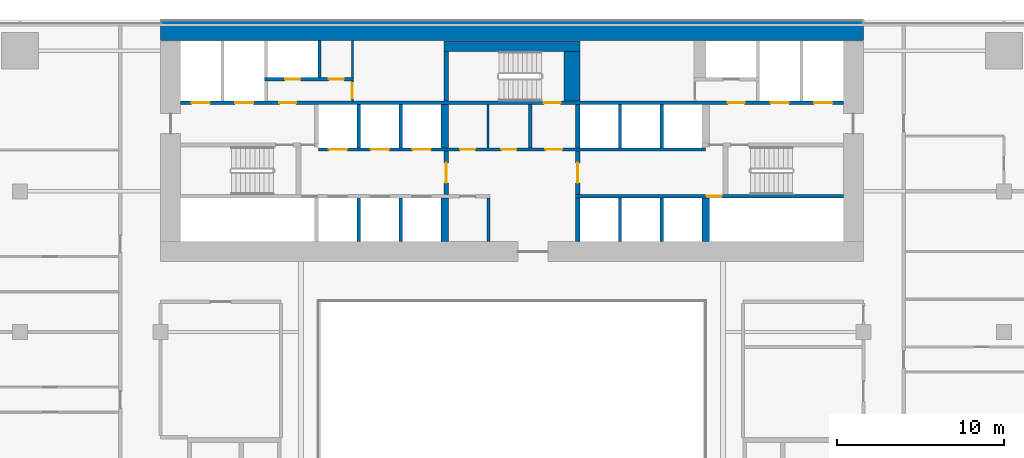
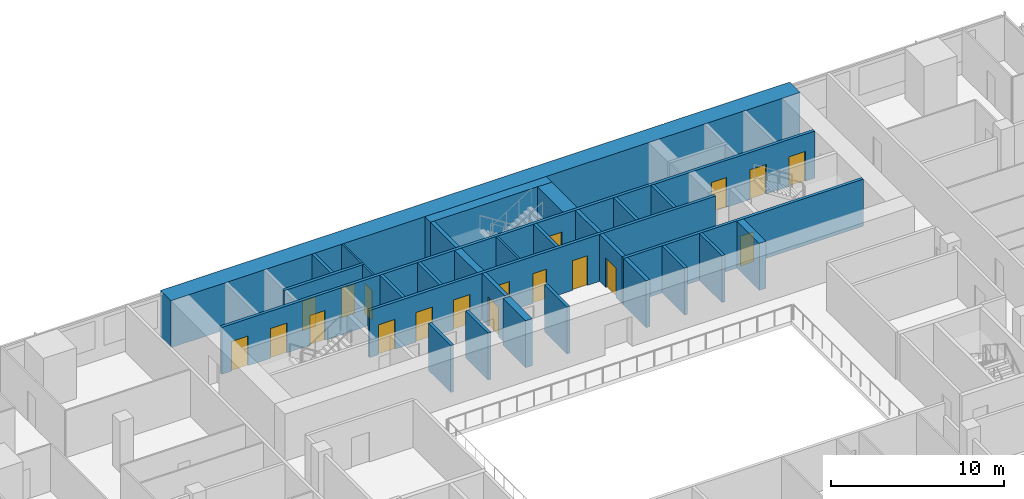
# One storey, part 19 of 27: 29 walls, 19 doors, 19 openings.
"""IFC4 building model written with IfcOpenShell, lengths in metres."""

from ifc_helpers import new_model, si_unit, direction, frame, frame_2d, origin, place, context, subcontext, project, spatial, rectangle, extrude, material, layer, layer_set, type_object, element, fill, save


model = new_model("IFC4")

# Units and contexts
model_context = context("Model", 3, precision=1e-05, world=origin(), true_north=direction((0.0, 1.0)))
body_context = subcontext(model_context, "Body", "Model", "MODEL_VIEW")
ifc_project = project(units=[si_unit("LENGTHUNIT", "METRE"), si_unit("AREAUNIT", "SQUARE_METRE"), si_unit("VOLUMEUNIT", "CUBIC_METRE"), si_unit("PLANEANGLEUNIT", "RADIAN"), si_unit("MASSUNIT", "GRAM", prefix="KILO")], contexts=[model_context])

# Site, building, storey
site_placement = place(None, origin())
site = spatial("IfcSite", under=ifc_project, at=site_placement, CompositionType="ELEMENT")
building_placement = place(site_placement, origin())
building = spatial("IfcBuilding", under=site, at=building_placement, Name="Saffron Gate Tower", CompositionType="ELEMENT")
storey_placement = place(building_placement, frame((0.0, 0.0, 76.800048828125)))
storey = spatial("IfcBuildingStorey", under=building, at=storey_placement, Name="L18", CompositionType="ELEMENT", Elevation=76.800048828125)

# Walls
ifc_material_1 = material(Name="Concrete C70", Category="concrete")
ifc_layer_1 = layer(ifc_material_1, 1.199951171875)
ifc_layer_set_1 = layer_set([ifc_layer_1], Name="CW1 RC core wall 1200 C70")
wall_type_1 = type_object("IfcWallType", Name="CW1 RC core wall 1200 C70", PredefinedType="SOLIDWALL", material=ifc_layer_set_1)
wall_1_placement = place(storey_placement, frame((66.60009765625, 75.0, 0.0), z_axis=(0.0, 0.0, 1.0), x_axis=(1.0, 0.0, 0.0)))
element("IfcWall", 1, at=wall_1_placement, inside=storey, type_object=wall_type_1, Name="Wall CW1-L18-2", PredefinedType="SOLIDWALL", context=body_context, shape_type="SweptSolid", body=[
    extrude(rectangle(XDim=42.0, YDim=1.199951171875, at=frame_2d((21.0, 0.0))), origin(), (0.0, 0.0, 1.0), 3.320068359375),
])
ifc_material_2 = material(Name="Gypsum board partition on steel studs", Category="steel")
ifc_layer_2 = layer(ifc_material_2, 0.199951171875)
ifc_layer_set_2 = layer_set([ifc_layer_2], Name="CW10 Core partition 200")
wall_type_2 = type_object("IfcWallType", Name="CW10 Core partition 200", PredefinedType="PARTITIONING", material=ifc_layer_set_2)
for number, where, z_axis, x_axis, name in (
    (2, (86.199951171875, 62.39990234375, 0.0), (0.0, 0.0, 1.0), (0.0, 1.0, 0.0), "Wall CW10-L18-9"),
    (3, (88.699951171875, 68.0, 0.0), (0.0, 0.0, 1.0), (0.0, 1.0, 0.0), "Wall CW10-L18-25"),
):
    element("IfcWall", number, at=place(storey_placement, frame(where, z_axis=z_axis, x_axis=x_axis)), inside=storey, type_object=wall_type_2, Name=name, PredefinedType="PARTITIONING", context=body_context, shape_type="SweptSolid", body=[
        extrude(rectangle(XDim=2.60009765625, YDim=0.199951171875, at=frame_2d((1.300048828125, 0.0))), origin(), (0.0, 0.0, 1.0), 3.320068359375),
    ])
ifc_layer_3 = layer(ifc_material_1, 0.25)
ifc_layer_set_3 = layer_set([ifc_layer_3], Name="CW2 RC core wall 250 C70")
wall_type_3 = type_object("IfcWallType", Name="CW2 RC core wall 250 C70", PredefinedType="SOLIDWALL", material=ifc_layer_set_3)
wall_2_placement = place(storey_placement, frame((91.52490234375, 62.39990234375, 0.0), z_axis=(0.0, 0.0, 1.0), x_axis=(0.0, 1.0, 0.0)))
element("IfcWall", 4, at=wall_2_placement, inside=storey, type_object=wall_type_3, Name="Wall CW2-L18-10", PredefinedType="SOLIDWALL", context=body_context, shape_type="SweptSolid", body=[
    extrude(rectangle(XDim=2.60009765625, YDim=0.25, at=frame_2d((1.300048828125, 0.0))), origin(), (0.0, 0.0, 1.0), 3.320068359375),
])

# Wall, opening, door
wall_3_placement = place(storey_placement, frame((83.675048828125, 65.199951171875, 0.0), z_axis=(0.0, 0.0, 1.0), x_axis=(0.0, 1.0, 0.0)))
wall_3 = element("IfcWall", 5, at=wall_3_placement, inside=storey, type_object=wall_type_3, Name="Wall CW2-L18-17", PredefinedType="SOLIDWALL", context=body_context, shape_type="SweptSolid", body=[
    extrude(rectangle(XDim=2.60009765625, YDim=0.25, at=frame_2d((1.300048828125, 0.0))), origin(), (0.0, 0.0, 1.0), 3.320068359375),
])
opening_1_placement = place(wall_3_placement, frame((0.699951171875, 0.0, 0.0)))
opening_1 = element("IfcOpeningElement", 6, at=opening_1_placement, cuts=wall_3, Name="Opening CR-07", PredefinedType="OPENING", context=body_context, shape_type="SweptSolid", body=[
    extrude(rectangle(XDim=1.199951171875, YDim=2.10009765625, at=frame_2d((0.60009765625, 1.050048828125))), frame((0.0, 0.135009765625, 0.0), z_axis=(0.0, -1.0, 0.0), x_axis=(1.0, 0.0, 0.0)), (0.0, 0.0, 1.0), 0.27001953125),
])
ifc_material_3 = material(Name="Steel fire door set", Category="steel")
door_type_1 = type_object("IfcDoorType", Name="CD3 Lobby door 1200x2100 EI 120", OperationType="NOTDEFINED", PredefinedType="DOOR", material=ifc_material_3)
door_1_placement = place(opening_1_placement, origin())
door_1 = element("IfcDoor", 7, at=door_1_placement, inside=storey, type_object=door_type_1, Name="DOOR CR-07", OperationType="SINGLE_SWING_RIGHT", OverallHeight=2.10009765625, OverallWidth=1.199951171875, PredefinedType="DOOR", context=body_context, shape_type="SweptSolid", body=[
    extrude(rectangle(XDim=1.199951171875, YDim=2.10009765625, at=frame_2d((0.60009765625, 1.050048828125))), frame((0.0, 0.02490234375, 0.0), z_axis=(0.0, -1.0, 0.0), x_axis=(1.0, 0.0, 0.0)), (0.0, 0.0, 1.0), 0.050048828125),
])
fill(opening_1, door_1)

wall_4_placement = place(storey_placement, frame((91.52490234375, 65.199951171875, 0.0), z_axis=(0.0, 0.0, 1.0), x_axis=(0.0, 1.0, 0.0)))
wall_4 = element("IfcWall", 8, at=wall_4_placement, inside=storey, type_object=wall_type_3, Name="Wall CW2-L18-18", PredefinedType="SOLIDWALL", context=body_context, shape_type="SweptSolid", body=[
    extrude(rectangle(XDim=2.60009765625, YDim=0.25, at=frame_2d((1.300048828125, 0.0))), origin(), (0.0, 0.0, 1.0), 3.320068359375),
])
opening_2_placement = place(wall_4_placement, frame((0.699951171875, 0.0, 0.0)))
opening_2 = element("IfcOpeningElement", 9, at=opening_2_placement, cuts=wall_4, Name="Opening CR-01", PredefinedType="OPENING", context=body_context, shape_type="SweptSolid", body=[
    extrude(rectangle(XDim=1.199951171875, YDim=2.10009765625, at=frame_2d((0.60009765625, 1.050048828125))), frame((0.0, 0.135009765625, 0.0), z_axis=(0.0, -1.0, 0.0), x_axis=(1.0, 0.0, 0.0)), (0.0, 0.0, 1.0), 0.27001953125),
])
door_2_placement = place(opening_2_placement, origin())
door_2 = element("IfcDoor", 10, at=door_2_placement, inside=storey, type_object=door_type_1, Name="DOOR CR-01", OperationType="SINGLE_SWING_RIGHT", OverallHeight=2.10009765625, OverallWidth=1.199951171875, PredefinedType="DOOR", context=body_context, shape_type="SweptSolid", body=[
    extrude(rectangle(XDim=1.199951171875, YDim=2.10009765625, at=frame_2d((0.60009765625, 1.050048828125))), frame((0.0, 0.02490234375, 0.0), z_axis=(0.0, -1.0, 0.0), x_axis=(1.0, 0.0, 0.0)), (0.0, 0.0, 1.0), 0.050048828125),
])
fill(opening_2, door_2)

# Walls
wall_5_placement = place(storey_placement, frame((91.52490234375, 68.0, 0.0), z_axis=(0.0, 0.0, 1.0), x_axis=(0.0, 1.0, 0.0)))
element("IfcWall", 11, at=wall_5_placement, inside=storey, type_object=wall_type_3, Name="Wall CW2-L18-26", PredefinedType="SOLIDWALL", context=body_context, shape_type="SweptSolid", body=[
    extrude(rectangle(XDim=2.60009765625, YDim=0.25, at=frame_2d((1.300048828125, 0.0))), origin(), (0.0, 0.0, 1.0), 3.320068359375),
])
wall_6_placement = place(storey_placement, frame((83.675048828125, 70.800048828125, 0.0), z_axis=(0.0, 0.0, 1.0), x_axis=(0.0, 1.0, 0.0)))
element("IfcWall", 12, at=wall_6_placement, inside=storey, type_object=wall_type_3, Name="Wall CW2-L18-38", PredefinedType="SOLIDWALL", context=body_context, shape_type="SweptSolid", body=[
    extrude(rectangle(XDim=2.949951171875, YDim=0.25, at=frame_2d((1.47509765625, 0.0))), origin(), (0.0, 0.0, 1.0), 3.320068359375),
])
ifc_layer_4 = layer(ifc_material_1, 0.199951171875)
ifc_layer_set_4 = layer_set([ifc_layer_4], Name="CW3 RC core wall 200 C70")
wall_type_4 = type_object("IfcWallType", Name="CW3 RC core wall 200 C70", PredefinedType="SOLIDWALL", material=ifc_layer_set_4)
for number, where, z_axis, x_axis, name in (
    (13, (78.449951171875, 62.39990234375, 0.0), (0.0, 0.0, 1.0), (0.0, 1.0, 0.0), "Wall CW3-L18-6"),
    (14, (80.949951171875, 62.39990234375, 0.0), (0.0, 0.0, 1.0), (0.0, 1.0, 0.0), "Wall CW3-L18-7"),
    (15, (94.050048828125, 62.39990234375, 0.0), (0.0, 0.0, 1.0), (0.0, 1.0, 0.0), "Wall CW3-L18-11"),
    (16, (96.550048828125, 62.39990234375, 0.0), (0.0, 0.0, 1.0), (0.0, 1.0, 0.0), "Wall CW3-L18-12"),
):
    element("IfcWall", number, at=place(storey_placement, frame(where, z_axis=z_axis, x_axis=x_axis)), inside=storey, type_object=wall_type_4, Name=name, PredefinedType="SOLIDWALL", context=body_context, shape_type="SweptSolid", body=[
        extrude(rectangle(XDim=2.60009765625, YDim=0.199951171875, at=frame_2d((1.300048828125, 0.0))), origin(), (0.0, 0.0, 1.0), 3.320068359375),
    ])

# Wall, opening, door
wall_7_placement = place(storey_placement, frame((91.39990234375, 65.10009765625, 0.0), z_axis=(0.0, 0.0, 1.0), x_axis=(1.0, 0.0, 0.0)))
wall_7 = element("IfcWall", 17, at=wall_7_placement, inside=storey, type_object=wall_type_4, Name="Wall CW3-L18-15", PredefinedType="SOLIDWALL", context=body_context, shape_type="SweptSolid", body=[
    extrude(rectangle(XDim=16.0, YDim=0.199951171875, at=frame_2d((8.0, 0.0))), origin(), (0.0, 0.0, 1.0), 3.320068359375),
])
opening_3_placement = place(wall_7_placement, frame((7.830078125, 0.0, 0.0)))
opening_3 = element("IfcOpeningElement", 18, at=opening_3_placement, cuts=wall_7, Name="Opening CR-48", PredefinedType="OPENING", context=body_context, shape_type="SweptSolid", body=[
    extrude(rectangle(XDim=0.89990234375, YDim=2.10009765625, at=frame_2d((0.449951171875, 1.050048828125))), frame((0.0, 0.10986328125, 0.0), z_axis=(0.0, -1.0, 0.0), x_axis=(1.0, 0.0, 0.0)), (0.0, 0.0, 1.0), 0.219970703125),
])
door_type_2 = type_object("IfcDoorType", Name="CD2 Riser door 900x2100 EI 60", OperationType="NOTDEFINED", PredefinedType="DOOR", material=ifc_material_3)
door_3_placement = place(opening_3_placement, origin())
door_3 = element("IfcDoor", 19, at=door_3_placement, inside=storey, type_object=door_type_2, Name="DOOR CR-48", OperationType="SINGLE_SWING_RIGHT", OverallHeight=2.10009765625, OverallWidth=0.89990234375, PredefinedType="DOOR", context=body_context, shape_type="SweptSolid", body=[
    extrude(rectangle(XDim=0.89990234375, YDim=2.10009765625, at=frame_2d((0.449951171875, 1.050048828125))), frame((0.0, 0.02490234375, 0.0), z_axis=(0.0, -1.0, 0.0), x_axis=(1.0, 0.0, 0.0)), (0.0, 0.0, 1.0), 0.050048828125),
])
fill(opening_3, door_3)

# Wall, openings, doors
wall_8_placement = place(storey_placement, frame((76.050048828125, 67.89990234375, 0.0), z_axis=(0.0, 0.0, 1.0), x_axis=(1.0, 0.0, 0.0)))
wall_8 = element("IfcWall", 20, at=wall_8_placement, inside=storey, type_object=wall_type_4, Name="Wall CW3-L18-20", PredefinedType="SOLIDWALL", context=body_context, shape_type="SweptSolid", body=[
    extrude(rectangle(XDim=23.099853515625, YDim=0.199951171875, at=frame_2d((11.5498046875, 0.0))), origin(), (0.0, 0.0, 1.0), 3.320068359375),
])
opening_4_placement = place(wall_8_placement, frame((0.60009765625, 0.0, 0.0)))
opening_4 = element("IfcOpeningElement", 21, at=opening_4_placement, cuts=wall_8, Name="Opening LD-LR4", PredefinedType="OPENING", context=body_context, shape_type="SweptSolid", body=[
    extrude(rectangle(XDim=1.10009765625, YDim=2.10009765625, at=frame_2d((0.550048828125, 1.050048828125))), frame((0.0, 0.10986328125, 0.0), z_axis=(0.0, -1.0, 0.0), x_axis=(1.0, 0.0, 0.0)), (0.0, 0.0, 1.0), 0.219970703125),
])
opening_5_placement = place(wall_8_placement, frame((3.10009765625, 0.0, 0.0)))
opening_5 = element("IfcOpeningElement", 22, at=opening_5_placement, cuts=wall_8, Name="Opening LD-LR5", PredefinedType="OPENING", context=body_context, shape_type="SweptSolid", body=[
    extrude(rectangle(XDim=1.10009765625, YDim=2.10009765625, at=frame_2d((0.550048828125, 1.050048828125))), frame((0.0, 0.10986328125, 0.0), z_axis=(0.0, -1.0, 0.0), x_axis=(1.0, 0.0, 0.0)), (0.0, 0.0, 1.0), 0.219970703125),
])
opening_6_placement = place(wall_8_placement, frame((5.60009765625, 0.0, 0.0)))
opening_6 = element("IfcOpeningElement", 23, at=opening_6_placement, cuts=wall_8, Name="Opening LD-LR6", PredefinedType="OPENING", context=body_context, shape_type="SweptSolid", body=[
    extrude(rectangle(XDim=1.10009765625, YDim=2.10009765625, at=frame_2d((0.550048828125, 1.050048828125))), frame((0.0, 0.10986328125, 0.0), z_axis=(0.0, -1.0, 0.0), x_axis=(1.0, 0.0, 0.0)), (0.0, 0.0, 1.0), 0.219970703125),
])
opening_7_placement = place(wall_8_placement, frame((8.449951171875, 0.0, 0.0)))
opening_7 = element("IfcOpeningElement", 24, at=opening_7_placement, cuts=wall_8, Name="Opening CR-67", PredefinedType="OPENING", context=body_context, shape_type="SweptSolid", body=[
    extrude(rectangle(XDim=0.89990234375, YDim=2.10009765625, at=frame_2d((0.449951171875, 1.050048828125))), frame((0.0, 0.10986328125, 0.0), z_axis=(0.0, -1.0, 0.0), x_axis=(1.0, 0.0, 0.0)), (0.0, 0.0, 1.0), 0.219970703125),
])
opening_8_placement = place(wall_8_placement, frame((10.909912109375, 0.0, 0.0)))
opening_8 = element("IfcOpeningElement", 25, at=opening_8_placement, cuts=wall_8, Name="Opening CR-68", PredefinedType="OPENING", context=body_context, shape_type="SweptSolid", body=[
    extrude(rectangle(XDim=0.89990234375, YDim=2.10009765625, at=frame_2d((0.449951171875, 1.050048828125))), frame((0.0, 0.10986328125, 0.0), z_axis=(0.0, -1.0, 0.0), x_axis=(1.0, 0.0, 0.0)), (0.0, 0.0, 1.0), 0.219970703125),
])
opening_9_placement = place(wall_8_placement, frame((13.550048828125, 0.0, 0.0)))
opening_9 = element("IfcOpeningElement", 26, at=opening_9_placement, cuts=wall_8, Name="Opening CR-02", PredefinedType="OPENING", context=body_context, shape_type="SweptSolid", body=[
    extrude(rectangle(XDim=1.0, YDim=2.10009765625, at=frame_2d((0.5, 1.050048828125))), frame((0.0, 0.10986328125, 0.0), z_axis=(0.0, -1.0, 0.0), x_axis=(1.0, 0.0, 0.0)), (0.0, 0.0, 1.0), 0.219970703125),
])
door_type_3 = type_object("IfcDoorType", Name="CD4 Lobby door 1000x2100 EI 120", OperationType="NOTDEFINED", PredefinedType="DOOR", material=ifc_material_3)
door_4_placement = place(opening_9_placement, origin())
door_4 = element("IfcDoor", 27, at=door_4_placement, inside=storey, type_object=door_type_3, Name="DOOR CR-02", OperationType="SINGLE_SWING_LEFT", OverallHeight=2.10009765625, OverallWidth=1.0, PredefinedType="DOOR", context=body_context, shape_type="SweptSolid", body=[
    extrude(rectangle(XDim=1.0, YDim=2.10009765625, at=frame_2d((0.5, 1.050048828125))), frame((0.0, 0.02490234375, 0.0), z_axis=(0.0, -1.0, 0.0), x_axis=(1.0, 0.0, 0.0)), (0.0, 0.0, 1.0), 0.050048828125),
])
fill(opening_9, door_4)
door_type_4 = type_object("IfcDoorType", Name="CD9 Room door 900x2100 EI 60", OperationType="NOTDEFINED", PredefinedType="DOOR", material=ifc_material_3)
door_5_placement = place(opening_7_placement, origin())
door_5 = element("IfcDoor", 28, at=door_5_placement, inside=storey, type_object=door_type_4, Name="DOOR CR-67", OperationType="SINGLE_SWING_LEFT", OverallHeight=2.10009765625, OverallWidth=0.89990234375, PredefinedType="DOOR", context=body_context, shape_type="SweptSolid", body=[
    extrude(rectangle(XDim=0.89990234375, YDim=2.10009765625, at=frame_2d((0.449951171875, 1.050048828125))), frame((0.0, 0.02490234375, 0.0), z_axis=(0.0, -1.0, 0.0), x_axis=(1.0, 0.0, 0.0)), (0.0, 0.0, 1.0), 0.050048828125),
])
fill(opening_7, door_5)
door_6_placement = place(opening_8_placement, origin())
door_6 = element("IfcDoor", 29, at=door_6_placement, inside=storey, type_object=door_type_4, Name="DOOR CR-68", OperationType="SINGLE_SWING_LEFT", OverallHeight=2.10009765625, OverallWidth=0.89990234375, PredefinedType="DOOR", context=body_context, shape_type="SweptSolid", body=[
    extrude(rectangle(XDim=0.89990234375, YDim=2.10009765625, at=frame_2d((0.449951171875, 1.050048828125))), frame((0.0, 0.02490234375, 0.0), z_axis=(0.0, -1.0, 0.0), x_axis=(1.0, 0.0, 0.0)), (0.0, 0.0, 1.0), 0.050048828125),
])
fill(opening_8, door_6)
ifc_material_4 = material(Name="Stainless steel landing door", Category="steel")
door_type_5 = type_object("IfcDoorType", Name="LD Lift landing door 1100x2100 EI 120", OperationType="SLIDING_TO_LEFT", PredefinedType="DOOR", material=ifc_material_4)
door_7_placement = place(opening_4_placement, origin())
door_7 = element("IfcDoor", 30, at=door_7_placement, inside=storey, type_object=door_type_5, Name="LANDING DOOR LD-LR4", OperationType="SLIDING_TO_RIGHT", OverallHeight=2.10009765625, OverallWidth=1.10009765625, PredefinedType="DOOR", context=body_context, shape_type="SweptSolid", body=[
    extrude(rectangle(XDim=1.10009765625, YDim=2.10009765625, at=frame_2d((0.550048828125, 1.050048828125))), frame((0.0, 0.02490234375, 0.0), z_axis=(0.0, -1.0, 0.0), x_axis=(1.0, 0.0, 0.0)), (0.0, 0.0, 1.0), 0.050048828125),
])
fill(opening_4, door_7)
door_8_placement = place(opening_5_placement, origin())
door_8 = element("IfcDoor", 31, at=door_8_placement, inside=storey, type_object=door_type_5, Name="LANDING DOOR LD-LR5", OperationType="SLIDING_TO_RIGHT", OverallHeight=2.10009765625, OverallWidth=1.10009765625, PredefinedType="DOOR", context=body_context, shape_type="SweptSolid", body=[
    extrude(rectangle(XDim=1.10009765625, YDim=2.10009765625, at=frame_2d((0.550048828125, 1.050048828125))), frame((0.0, 0.02490234375, 0.0), z_axis=(0.0, -1.0, 0.0), x_axis=(1.0, 0.0, 0.0)), (0.0, 0.0, 1.0), 0.050048828125),
])
fill(opening_5, door_8)
door_9_placement = place(opening_6_placement, origin())
door_9 = element("IfcDoor", 32, at=door_9_placement, inside=storey, type_object=door_type_5, Name="LANDING DOOR LD-LR6", OperationType="SLIDING_TO_RIGHT", OverallHeight=2.10009765625, OverallWidth=1.10009765625, PredefinedType="DOOR", context=body_context, shape_type="SweptSolid", body=[
    extrude(rectangle(XDim=1.10009765625, YDim=2.10009765625, at=frame_2d((0.550048828125, 1.050048828125))), frame((0.0, 0.02490234375, 0.0), z_axis=(0.0, -1.0, 0.0), x_axis=(1.0, 0.0, 0.0)), (0.0, 0.0, 1.0), 0.050048828125),
])
fill(opening_6, door_9)

# Walls
for number, where, z_axis, x_axis, name in (
    (33, (78.449951171875, 68.0, 0.0), (0.0, 0.0, 1.0), (0.0, 1.0, 0.0), "Wall CW3-L18-21"),
    (34, (80.949951171875, 68.0, 0.0), (0.0, 0.0, 1.0), (0.0, 1.0, 0.0), "Wall CW3-L18-22"),
    (35, (94.050048828125, 68.0, 0.0), (0.0, 0.0, 1.0), (0.0, 1.0, 0.0), "Wall CW3-L18-27"),
    (36, (96.550048828125, 68.0, 0.0), (0.0, 0.0, 1.0), (0.0, 1.0, 0.0), "Wall CW3-L18-28"),
):
    element("IfcWall", number, at=place(storey_placement, frame(where, z_axis=z_axis, x_axis=x_axis)), inside=storey, type_object=wall_type_4, Name=name, PredefinedType="SOLIDWALL", context=body_context, shape_type="SweptSolid", body=[
        extrude(rectangle(XDim=2.60009765625, YDim=0.199951171875, at=frame_2d((1.300048828125, 0.0))), origin(), (0.0, 0.0, 1.0), 3.320068359375),
    ])

# Wall, openings, doors
wall_9_placement = place(storey_placement, frame((67.800048828125, 70.699951171875, 0.0), z_axis=(0.0, 0.0, 1.0), x_axis=(1.0, 0.0, 0.0)))
wall_9 = element("IfcWall", 37, at=wall_9_placement, inside=storey, type_object=wall_type_4, Name="Wall CW3-L18-34", PredefinedType="SOLIDWALL", context=body_context, shape_type="SweptSolid", body=[
    extrude(rectangle(XDim=39.599853515625, YDim=0.199951171875, at=frame_2d((19.7998046875, 0.0))), origin(), (0.0, 0.0, 1.0), 3.320068359375),
])
opening_10_placement = place(wall_9_placement, frame((0.64990234375, 0.0, 0.0)))
opening_10 = element("IfcOpeningElement", 38, at=opening_10_placement, cuts=wall_9, Name="Opening LD-FF1", PredefinedType="OPENING", context=body_context, shape_type="SweptSolid", body=[
    extrude(rectangle(XDim=1.10009765625, YDim=2.10009765625, at=frame_2d((0.550048828125, 1.050048828125))), frame((0.0, 0.10986328125, 0.0), z_axis=(0.0, -1.0, 0.0), x_axis=(1.0, 0.0, 0.0)), (0.0, 0.0, 1.0), 0.219970703125),
])
opening_11_placement = place(wall_9_placement, frame((3.25, 0.0, 0.0)))
opening_11 = element("IfcOpeningElement", 39, at=opening_11_placement, cuts=wall_9, Name="Opening LD-SV1", PredefinedType="OPENING", context=body_context, shape_type="SweptSolid", body=[
    extrude(rectangle(XDim=1.10009765625, YDim=2.10009765625, at=frame_2d((0.550048828125, 1.050048828125))), frame((0.0, 0.10986328125, 0.0), z_axis=(0.0, -1.0, 0.0), x_axis=(1.0, 0.0, 0.0)), (0.0, 0.0, 1.0), 0.219970703125),
])
opening_12_placement = place(wall_9_placement, frame((5.89990234375, 0.0, 0.0)))
opening_12 = element("IfcOpeningElement", 40, at=opening_12_placement, cuts=wall_9, Name="Opening CR-03", PredefinedType="OPENING", context=body_context, shape_type="SweptSolid", body=[
    extrude(rectangle(XDim=1.0, YDim=2.10009765625, at=frame_2d((0.5, 1.050048828125))), frame((0.0, 0.10986328125, 0.0), z_axis=(0.0, -1.0, 0.0), x_axis=(1.0, 0.0, 0.0)), (0.0, 0.0, 1.0), 0.219970703125),
])
opening_13_placement = place(wall_9_placement, frame((21.699951171875, 0.0, 0.0)))
opening_13 = element("IfcOpeningElement", 41, at=opening_13_placement, cuts=wall_9, Name="Opening CR-17", PredefinedType="OPENING", context=body_context, shape_type="SweptSolid", body=[
    extrude(rectangle(XDim=1.0, YDim=2.10009765625, at=frame_2d((0.5, 1.050048828125))), frame((0.0, 0.10986328125, 0.0), z_axis=(0.0, -1.0, 0.0), x_axis=(1.0, 0.0, 0.0)), (0.0, 0.0, 1.0), 0.219970703125),
])
opening_14_placement = place(wall_9_placement, frame((32.699951171875, 0.0, 0.0)))
opening_14 = element("IfcOpeningElement", 42, at=opening_14_placement, cuts=wall_9, Name="Opening CR-04", PredefinedType="OPENING", context=body_context, shape_type="SweptSolid", body=[
    extrude(rectangle(XDim=1.0, YDim=2.10009765625, at=frame_2d((0.5, 1.050048828125))), frame((0.0, 0.10986328125, 0.0), z_axis=(0.0, -1.0, 0.0), x_axis=(1.0, 0.0, 0.0)), (0.0, 0.0, 1.0), 0.219970703125),
])
opening_15_placement = place(wall_9_placement, frame((35.25, 0.0, 0.0)))
opening_15 = element("IfcOpeningElement", 43, at=opening_15_placement, cuts=wall_9, Name="Opening LD-SV2", PredefinedType="OPENING", context=body_context, shape_type="SweptSolid", body=[
    extrude(rectangle(XDim=1.10009765625, YDim=2.10009765625, at=frame_2d((0.550048828125, 1.050048828125))), frame((0.0, 0.10986328125, 0.0), z_axis=(0.0, -1.0, 0.0), x_axis=(1.0, 0.0, 0.0)), (0.0, 0.0, 1.0), 0.219970703125),
])
opening_16_placement = place(wall_9_placement, frame((37.85009765625, 0.0, 0.0)))
opening_16 = element("IfcOpeningElement", 44, at=opening_16_placement, cuts=wall_9, Name="Opening LD-FF2", PredefinedType="OPENING", context=body_context, shape_type="SweptSolid", body=[
    extrude(rectangle(XDim=1.10009765625, YDim=2.10009765625, at=frame_2d((0.550048828125, 1.050048828125))), frame((0.0, 0.10986328125, 0.0), z_axis=(0.0, -1.0, 0.0), x_axis=(1.0, 0.0, 0.0)), (0.0, 0.0, 1.0), 0.219970703125),
])
door_10_placement = place(opening_12_placement, origin())
door_10 = element("IfcDoor", 45, at=door_10_placement, inside=storey, type_object=door_type_3, Name="DOOR CR-03", OperationType="SINGLE_SWING_LEFT", OverallHeight=2.10009765625, OverallWidth=1.0, PredefinedType="DOOR", context=body_context, shape_type="SweptSolid", body=[
    extrude(rectangle(XDim=1.0, YDim=2.10009765625, at=frame_2d((0.5, 1.050048828125))), frame((0.0, 0.02490234375, 0.0), z_axis=(0.0, -1.0, 0.0), x_axis=(1.0, 0.0, 0.0)), (0.0, 0.0, 1.0), 0.050048828125),
])
fill(opening_12, door_10)
door_11_placement = place(opening_14_placement, origin())
door_11 = element("IfcDoor", 46, at=door_11_placement, inside=storey, type_object=door_type_3, Name="DOOR CR-04", OperationType="SINGLE_SWING_RIGHT", OverallHeight=2.10009765625, OverallWidth=1.0, PredefinedType="DOOR", context=body_context, shape_type="SweptSolid", body=[
    extrude(rectangle(XDim=1.0, YDim=2.10009765625, at=frame_2d((0.5, 1.050048828125))), frame((0.0, 0.02490234375, 0.0), z_axis=(0.0, -1.0, 0.0), x_axis=(1.0, 0.0, 0.0)), (0.0, 0.0, 1.0), 0.050048828125),
])
fill(opening_14, door_11)
door_type_6 = type_object("IfcDoorType", Name="CD5 Stair door 1000x2100 EI 120", OperationType="NOTDEFINED", PredefinedType="DOOR", material=ifc_material_3)
door_12_placement = place(opening_13_placement, origin())
door_12 = element("IfcDoor", 47, at=door_12_placement, inside=storey, type_object=door_type_6, Name="DOOR CR-17", OperationType="SINGLE_SWING_RIGHT", OverallHeight=2.10009765625, OverallWidth=1.0, PredefinedType="DOOR", context=body_context, shape_type="SweptSolid", body=[
    extrude(rectangle(XDim=1.0, YDim=2.10009765625, at=frame_2d((0.5, 1.050048828125))), frame((0.0, 0.02490234375, 0.0), z_axis=(0.0, -1.0, 0.0), x_axis=(1.0, 0.0, 0.0)), (0.0, 0.0, 1.0), 0.050048828125),
])
fill(opening_13, door_12)
door_13_placement = place(opening_10_placement, origin())
door_13 = element("IfcDoor", 48, at=door_13_placement, inside=storey, type_object=door_type_5, Name="LANDING DOOR LD-FF1", OperationType="SLIDING_TO_RIGHT", OverallHeight=2.10009765625, OverallWidth=1.10009765625, PredefinedType="DOOR", context=body_context, shape_type="SweptSolid", body=[
    extrude(rectangle(XDim=1.10009765625, YDim=2.10009765625, at=frame_2d((0.550048828125, 1.050048828125))), frame((0.0, 0.02490234375, 0.0), z_axis=(0.0, -1.0, 0.0), x_axis=(1.0, 0.0, 0.0)), (0.0, 0.0, 1.0), 0.050048828125),
])
fill(opening_10, door_13)
door_14_placement = place(opening_11_placement, origin())
door_14 = element("IfcDoor", 49, at=door_14_placement, inside=storey, type_object=door_type_5, Name="LANDING DOOR LD-SV1", OperationType="SLIDING_TO_RIGHT", OverallHeight=2.10009765625, OverallWidth=1.10009765625, PredefinedType="DOOR", context=body_context, shape_type="SweptSolid", body=[
    extrude(rectangle(XDim=1.10009765625, YDim=2.10009765625, at=frame_2d((0.550048828125, 1.050048828125))), frame((0.0, 0.02490234375, 0.0), z_axis=(0.0, -1.0, 0.0), x_axis=(1.0, 0.0, 0.0)), (0.0, 0.0, 1.0), 0.050048828125),
])
fill(opening_11, door_14)
door_15_placement = place(opening_15_placement, origin())
door_15 = element("IfcDoor", 50, at=door_15_placement, inside=storey, type_object=door_type_5, Name="LANDING DOOR LD-SV2", OperationType="SLIDING_TO_RIGHT", OverallHeight=2.10009765625, OverallWidth=1.10009765625, PredefinedType="DOOR", context=body_context, shape_type="SweptSolid", body=[
    extrude(rectangle(XDim=1.10009765625, YDim=2.10009765625, at=frame_2d((0.550048828125, 1.050048828125))), frame((0.0, 0.02490234375, 0.0), z_axis=(0.0, -1.0, 0.0), x_axis=(1.0, 0.0, 0.0)), (0.0, 0.0, 1.0), 0.050048828125),
])
fill(opening_15, door_15)
door_16_placement = place(opening_16_placement, origin())
door_16 = element("IfcDoor", 51, at=door_16_placement, inside=storey, type_object=door_type_5, Name="LANDING DOOR LD-FF2", OperationType="SLIDING_TO_RIGHT", OverallHeight=2.10009765625, OverallWidth=1.10009765625, PredefinedType="DOOR", context=body_context, shape_type="SweptSolid", body=[
    extrude(rectangle(XDim=1.10009765625, YDim=2.10009765625, at=frame_2d((0.550048828125, 1.050048828125))), frame((0.0, 0.02490234375, 0.0), z_axis=(0.0, -1.0, 0.0), x_axis=(1.0, 0.0, 0.0)), (0.0, 0.0, 1.0), 0.050048828125),
])
fill(opening_16, door_16)

wall_10_placement = place(storey_placement, frame((72.800048828125, 72.10009765625, 0.0), z_axis=(0.0, 0.0, 1.0), x_axis=(1.0, 0.0, 0.0)))
wall_10 = element("IfcWall", 52, at=wall_10_placement, inside=storey, type_object=wall_type_4, Name="Wall CW3-L18-43", PredefinedType="SOLIDWALL", context=body_context, shape_type="SweptSolid", body=[
    extrude(rectangle(XDim=5.320068359375, YDim=0.199951171875, at=frame_2d((2.66015625, 0.0))), origin(), (0.0, 0.0, 1.0), 3.320068359375),
])
opening_17_placement = place(wall_10_placement, frame((1.25, 0.0, 0.0)))
opening_17 = element("IfcOpeningElement", 53, at=opening_17_placement, cuts=wall_10, Name="Opening CR-71", PredefinedType="OPENING", context=body_context, shape_type="SweptSolid", body=[
    extrude(rectangle(XDim=0.89990234375, YDim=2.10009765625, at=frame_2d((0.449951171875, 1.050048828125))), frame((0.0, 0.10986328125, 0.0), z_axis=(0.0, -1.0, 0.0), x_axis=(1.0, 0.0, 0.0)), (0.0, 0.0, 1.0), 0.219970703125),
])
opening_18_placement = place(wall_10_placement, frame((3.85009765625, 0.0, 0.0)))
opening_18 = element("IfcOpeningElement", 54, at=opening_18_placement, cuts=wall_10, Name="Opening CR-55", PredefinedType="OPENING", context=body_context, shape_type="SweptSolid", body=[
    extrude(rectangle(XDim=0.89990234375, YDim=2.10009765625, at=frame_2d((0.449951171875, 1.050048828125))), frame((0.0, 0.10986328125, 0.0), z_axis=(0.0, -1.0, 0.0), x_axis=(1.0, 0.0, 0.0)), (0.0, 0.0, 1.0), 0.219970703125),
])
door_17_placement = place(opening_17_placement, origin())
door_17 = element("IfcDoor", 55, at=door_17_placement, inside=storey, type_object=door_type_2, Name="DOOR CR-71", OperationType="SINGLE_SWING_LEFT", OverallHeight=2.10009765625, OverallWidth=0.89990234375, PredefinedType="DOOR", context=body_context, shape_type="SweptSolid", body=[
    extrude(rectangle(XDim=0.89990234375, YDim=2.10009765625, at=frame_2d((0.449951171875, 1.050048828125))), frame((0.0, 0.02490234375, 0.0), z_axis=(0.0, -1.0, 0.0), x_axis=(1.0, 0.0, 0.0)), (0.0, 0.0, 1.0), 0.050048828125),
])
fill(opening_17, door_17)
door_18_placement = place(opening_18_placement, origin())
door_18 = element("IfcDoor", 56, at=door_18_placement, inside=storey, type_object=door_type_4, Name="DOOR CR-55", OperationType="SINGLE_SWING_LEFT", OverallHeight=2.10009765625, OverallWidth=0.89990234375, PredefinedType="DOOR", context=body_context, shape_type="SweptSolid", body=[
    extrude(rectangle(XDim=0.89990234375, YDim=2.10009765625, at=frame_2d((0.449951171875, 1.050048828125))), frame((0.0, 0.02490234375, 0.0), z_axis=(0.0, -1.0, 0.0), x_axis=(1.0, 0.0, 0.0)), (0.0, 0.0, 1.0), 0.050048828125),
])
fill(opening_18, door_18)

# Walls
wall_11_placement = place(storey_placement, frame((76.10009765625, 72.199951171875, 0.0), z_axis=(0.0, 0.0, 1.0), x_axis=(0.0, 1.0, 0.0)))
element("IfcWall", 57, at=wall_11_placement, inside=storey, type_object=wall_type_4, Name="Wall CW3-L18-46", PredefinedType="SOLIDWALL", context=body_context, shape_type="SweptSolid", body=[
    extrude(rectangle(XDim=2.199951171875, YDim=0.199951171875, at=frame_2d((1.10009765625, 0.0))), origin(), (0.0, 0.0, 1.0), 3.320068359375),
])
ifc_layer_5 = layer(ifc_material_1, 0.449951171875)
ifc_layer_set_5 = layer_set([ifc_layer_5], Name="CW4 RC core wall 450 C70")
wall_type_5 = type_object("IfcWallType", Name="CW4 RC core wall 450 C70", PredefinedType="SOLIDWALL", material=ifc_layer_set_5)
for number, where, z_axis, x_axis, name in (
    (58, (83.574951171875, 62.39990234375, 0.0), (0.0, 0.0, 1.0), (0.0, 1.0, 0.0), "Wall CW4-L18-8"),
    (59, (99.175048828125, 62.39990234375, 0.0), (0.0, 0.0, 1.0), (0.0, 1.0, 0.0), "Wall CW4-L18-13"),
    (60, (83.574951171875, 68.0, 0.0), (0.0, 0.0, 1.0), (0.0, 1.0, 0.0), "Wall CW4-L18-23"),
):
    element("IfcWall", number, at=place(storey_placement, frame(where, z_axis=z_axis, x_axis=x_axis)), inside=storey, type_object=wall_type_5, Name=name, PredefinedType="SOLIDWALL", context=body_context, shape_type="SweptSolid", body=[
        extrude(rectangle(XDim=2.60009765625, YDim=0.449951171875, at=frame_2d((1.300048828125, 0.0))), origin(), (0.0, 0.0, 1.0), 3.320068359375),
    ])
ifc_layer_6 = layer(ifc_material_1, 0.949951171875)
ifc_layer_set_6 = layer_set([ifc_layer_6], Name="CW7 RC core wall 950 C70")
wall_type_6 = type_object("IfcWallType", Name="CW7 RC core wall 950 C70", PredefinedType="SOLIDWALL", material=ifc_layer_set_6)
wall_12_placement = place(storey_placement, frame((91.175048828125, 70.800048828125, 0.0), z_axis=(0.0, 0.0, 1.0), x_axis=(0.0, 1.0, 0.0)))
element("IfcWall", 61, at=wall_12_placement, inside=storey, type_object=wall_type_6, Name="Wall CW7-L18-39", PredefinedType="SOLIDWALL", context=body_context, shape_type="SweptSolid", body=[
    extrude(rectangle(XDim=2.949951171875, YDim=0.949951171875, at=frame_2d((1.47509765625, 0.0))), origin(), (0.0, 0.0, 1.0), 3.320068359375),
])
ifc_layer_7 = layer(ifc_material_2, 0.1201171875)
ifc_layer_set_7 = layer_set([ifc_layer_7], Name="CW8 Core partition 120")
wall_type_7 = type_object("IfcWallType", Name="CW8 Core partition 120", PredefinedType="PARTITIONING", material=ifc_layer_set_7)
wall_13_placement = place(storey_placement, frame((86.159912109375, 68.0, 0.0), z_axis=(0.0, 0.0, 1.0), x_axis=(0.0, 1.0, 0.0)))
element("IfcWall", 62, at=wall_13_placement, inside=storey, type_object=wall_type_7, Name="Wall CW8-L18-24", PredefinedType="PARTITIONING", context=body_context, shape_type="SweptSolid", body=[
    extrude(rectangle(XDim=2.60009765625, YDim=0.1201171875, at=frame_2d((1.300048828125, 0.0))), origin(), (0.0, 0.0, 1.0), 3.320068359375),
])

# Wall, opening, door
wall_14_placement = place(storey_placement, frame((78.06005859375, 70.800048828125, 0.0), z_axis=(0.0, 0.0, 1.0), x_axis=(0.0, 1.0, 0.0)))
wall_14 = element("IfcWall", 63, at=wall_14_placement, inside=storey, type_object=wall_type_7, Name="Wall CW8-L18-37", PredefinedType="PARTITIONING", context=body_context, shape_type="SweptSolid", body=[
    extrude(rectangle(XDim=1.199951171875, YDim=0.1201171875, at=frame_2d((0.60009765625, 0.0))), origin(), (0.0, 0.0, 1.0), 3.320068359375),
])
opening_19_placement = place(wall_14_placement, frame((0.14990234375, 0.0, 0.0)))
opening_19 = element("IfcOpeningElement", 64, at=opening_19_placement, cuts=wall_14, Name="Opening CR-60", PredefinedType="OPENING", context=body_context, shape_type="SweptSolid", body=[
    extrude(rectangle(XDim=0.89990234375, YDim=2.10009765625, at=frame_2d((0.449951171875, 1.050048828125))), frame((0.0, 0.070068359375, 0.0), z_axis=(0.0, -1.0, 0.0), x_axis=(1.0, 0.0, 0.0)), (0.0, 0.0, 1.0), 0.14013671875),
])
door_19_placement = place(opening_19_placement, origin())
door_19 = element("IfcDoor", 65, at=door_19_placement, inside=storey, type_object=door_type_4, Name="DOOR CR-60", OperationType="SINGLE_SWING_RIGHT", OverallHeight=2.10009765625, OverallWidth=0.89990234375, PredefinedType="DOOR", context=body_context, shape_type="SweptSolid", body=[
    extrude(rectangle(XDim=0.89990234375, YDim=2.10009765625, at=frame_2d((0.449951171875, 1.050048828125))), frame((0.0, 0.02490234375, 0.0), z_axis=(0.0, -1.0, 0.0), x_axis=(1.0, 0.0, 0.0)), (0.0, 0.0, 1.0), 0.050048828125),
])
fill(opening_19, door_19)

# Walls
wall_15_placement = place(storey_placement, frame((78.06005859375, 72.199951171875, 0.0), z_axis=(0.0, 0.0, 1.0), x_axis=(0.0, 1.0, 0.0)))
element("IfcWall", 66, at=wall_15_placement, inside=storey, type_object=wall_type_7, Name="Wall CW8-L18-47", PredefinedType="PARTITIONING", context=body_context, shape_type="SweptSolid", body=[
    extrude(rectangle(XDim=2.199951171875, YDim=0.1201171875, at=frame_2d((1.10009765625, 0.0))), origin(), (0.0, 0.0, 1.0), 3.320068359375),
])
ifc_layer_8 = layer(ifc_material_1, 0.64990234375)
ifc_layer_set_8 = layer_set([ifc_layer_8], Name="CW9 RC core wall 650 C70")
wall_type_8 = type_object("IfcWallType", Name="CW9 RC core wall 650 C70", PredefinedType="SOLIDWALL", material=ifc_layer_set_8)
wall_16_placement = place(storey_placement, frame((83.550048828125, 74.074951171875, 0.0), z_axis=(0.0, 0.0, 1.0), x_axis=(1.0, 0.0, 0.0)))
element("IfcWall", 67, at=wall_16_placement, inside=storey, type_object=wall_type_8, Name="Wall CW9-L18-50", PredefinedType="SOLIDWALL", context=body_context, shape_type="SweptSolid", body=[
    extrude(rectangle(XDim=8.099853515625, YDim=0.64990234375, at=frame_2d((4.0498046875, 0.0))), origin(), (0.0, 0.0, 1.0), 3.320068359375),
])

save(model, "model.ifc")
